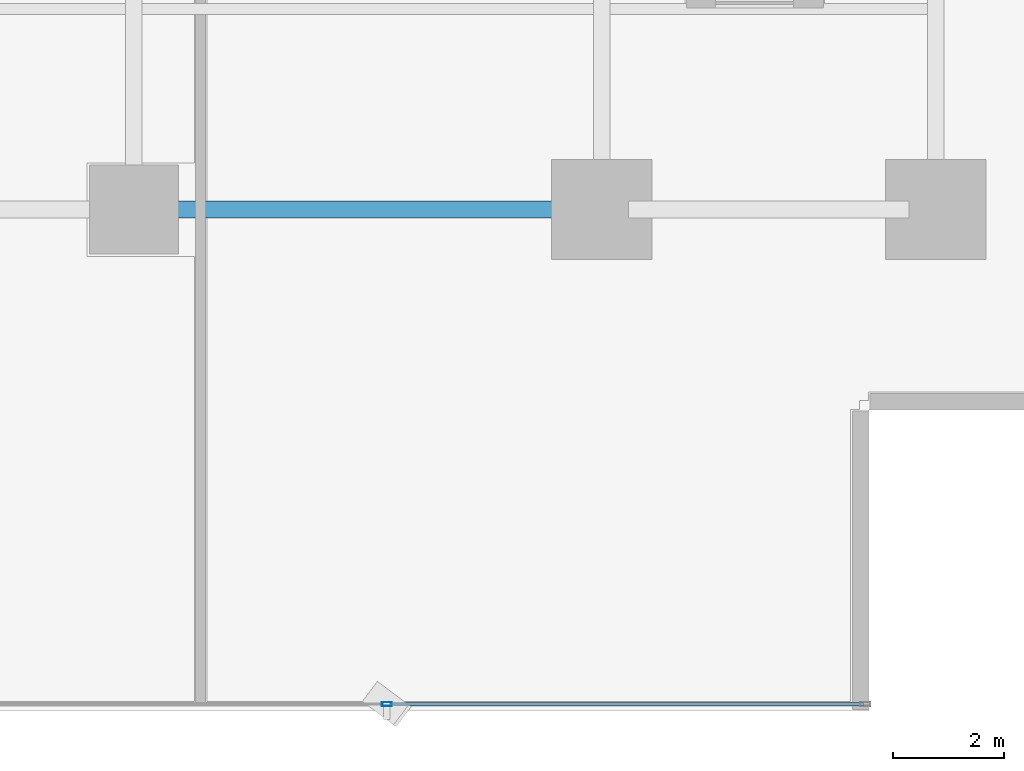
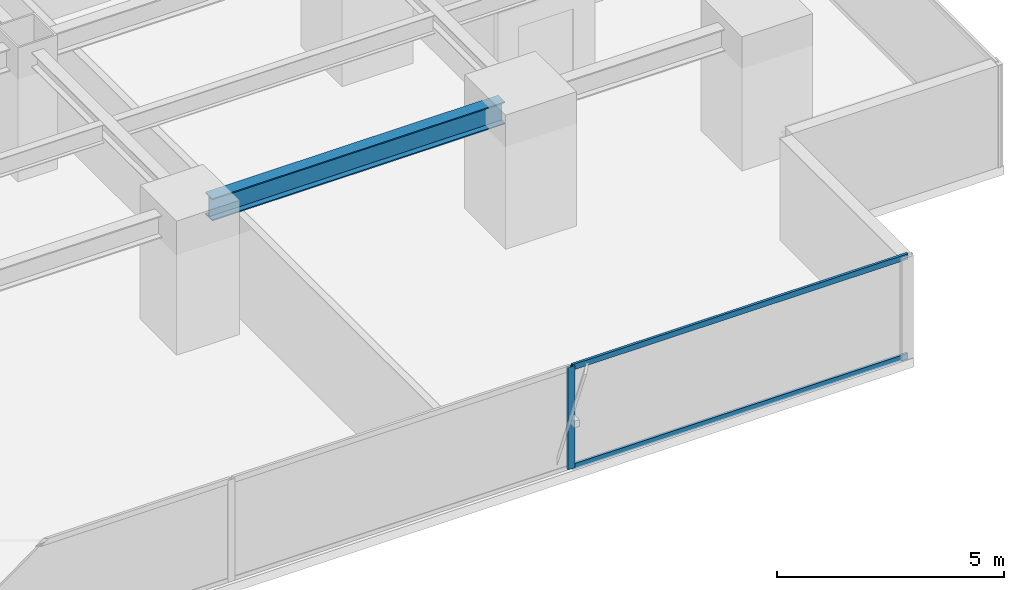
# One storey, part 11 of 33: 3 members, 1 beam, 1 element without a shape of its own.
"""IFC4 building model written with IfcOpenShell, lengths in metres."""

from ifc_helpers import new_model, si_unit, direction, frame, origin, origin_2d, place, context, subcontext, project, spatial, hollow_rectangle, i_section, extrude, source, transform, mapped, material, layer, layer_set, material_profile, profile_set, type_object, element, aggregate, save


model = new_model("IFC4")

# Units and contexts
model_context = context("Model", 3, precision=1e-05, world=origin(), true_north=direction((0.0, 1.0)))
body_context = subcontext(model_context, "Body", "Model", "MODEL_VIEW")
ifc_project = project(units=[si_unit("LENGTHUNIT", "METRE"), si_unit("AREAUNIT", "SQUARE_METRE"), si_unit("VOLUMEUNIT", "CUBIC_METRE"), si_unit("PLANEANGLEUNIT", "RADIAN"), si_unit("MASSUNIT", "GRAM", prefix="KILO")], contexts=[model_context])

# Site, building, storey
site_placement = place(None, origin())
site = spatial("IfcSite", under=ifc_project, at=site_placement, CompositionType="ELEMENT")
building_placement = place(site_placement, origin())
building = spatial("IfcBuilding", under=site, at=building_placement, Name="Sumidabori Civic Tower", CompositionType="ELEMENT")
storey_placement = place(building_placement, frame((0.0, 0.0, 63.199951171875)))
storey = spatial("IfcBuildingStorey", under=building, at=storey_placement, Name="L16", CompositionType="ELEMENT", Elevation=63.199951171875)

# Beam
ifc_material_1 = material(Name="Steel SN490", Category="steel")
ifc_material_profile_1 = material_profile(ifc_material_1, i_section(OverallWidth=0.300048828125, OverallDepth=0.60009765625, WebThickness=0.015380859375, FlangeThickness=0.030029296875, at=origin_2d()), Name="HE 600 B")
ifc_profile_set_1 = profile_set([ifc_material_profile_1], Name="Steel SN490")
beam_type = type_object("IfcBeamType", Name="BM-GIRD-600", PredefinedType="BEAM", material=ifc_profile_set_1)
shared_shape_1 = source(origin(), body_context, "Body", "SweptSolid", [
    extrude(i_section(OverallWidth=0.300048828125, OverallDepth=0.60009765625, WebThickness=0.015380859375, FlangeThickness=0.030029296875, at=origin_2d()), origin(), (0.0, 0.0, 1.0), 7.440185546875),
])
beam_placement = place(storey_placement, frame((8.8798828125, -18.0, 3.06005859375), z_axis=(1.0, 0.0, 0.0), x_axis=(0.0, 1.0, 0.0)))
element("IfcBeam", 1, at=beam_placement, inside=storey, type_object=beam_type, Name="Primary Girder L16 GX-05", PredefinedType="BEAM", context=body_context, shape_type="MappedRepresentation", body=[
    mapped(shared_shape_1, transform((0.0, 0.0, 0.0), x_axis=(1.0, 0.0, 0.0), y_axis=(0.0, 1.0, 0.0), z_axis=(0.0, 0.0, 1.0), scale=1.0)),
])

# Curtain wall, members
ifc_material_2 = material(Name="Anodised Bronze Aluminium AW-6063-T6", Category="aluminium")
ifc_layer = layer(ifc_material_2, 0.179931640625, Name="Anodised Bronze Aluminium AW-6063-T6")
ifc_layer_set = layer_set([ifc_layer], Name="Anodised Bronze Aluminium AW-6063-T6")
curtain_wall_type = type_object("IfcCurtainWallType", Name="CW-SYS-2", PredefinedType="NOTDEFINED", material=ifc_layer_set)
curtain_wall_placement = place(storey_placement, origin())
curtain_wall = element("IfcCurtainWall", 2, at=curtain_wall_placement, inside=storey, type_object=curtain_wall_type, Name="Curtain Wall CW:L16:R01", PredefinedType="NOTDEFINED")
ifc_material_profile_2 = material_profile(ifc_material_2, hollow_rectangle(XDim=0.070068359375, YDim=0.179931640625, WallThickness=0.006103515625, at=origin_2d()), Name="ALU MULLION 180x70")
ifc_profile_set_2 = profile_set([ifc_material_profile_2], Name="Anodised Bronze Aluminium AW-6063-T6")
member_type_1 = type_object("IfcMemberType", Name="CW-MUL-180", PredefinedType="MULLION", material=ifc_profile_set_2)
shared_shape_2 = source(origin(), body_context, "Body", "SweptSolid", [
    extrude(hollow_rectangle(XDim=0.070068359375, YDim=0.179931640625, WallThickness=0.006103515625, at=origin_2d()), origin(), (0.0, 0.0, 1.0), 2.739990234375),
])
member_1_placement = place(storey_placement, frame((12.94189453125, -26.8798828125, 0.0), z_axis=(0.0, 0.0, 1.0), x_axis=(0.0, 1.0, 0.0)))
member_1 = element("IfcMember", 3, at=member_1_placement, type_object=member_type_1, Name="CW-2 mullion 5", PredefinedType="MULLION", context=body_context, shape_type="MappedRepresentation", body=[
    mapped(shared_shape_2, transform((0.0, 0.0, 0.0), x_axis=(1.0, 0.0, 0.0), y_axis=(0.0, 1.0, 0.0), z_axis=(0.0, 0.0, 1.0), scale=1.0)),
])
ifc_material_profile_3 = material_profile(ifc_material_2, hollow_rectangle(XDim=0.06494140625, YDim=0.14990234375, WallThickness=0.0048828125, at=origin_2d()), Name="ALU TRANSOM 150x65")
ifc_profile_set_3 = profile_set([ifc_material_profile_3], Name="Anodised Bronze Aluminium AW-6063-T6")
member_type_2 = type_object("IfcMemberType", Name="CW-TRN-150", PredefinedType="USERDEFINED", material=ifc_profile_set_3)
shared_shape_3 = source(origin(), body_context, "Body", "SweptSolid", [
    extrude(hollow_rectangle(XDim=0.06494140625, YDim=0.14990234375, WallThickness=0.0048828125, at=origin_2d()), origin(), (0.0, 0.0, 1.0), 8.52294921875),
])
member_2_placement = place(storey_placement, frame((12.97705078125, -26.8798828125, 0.032470703125), z_axis=(1.0, 0.0, 0.0), x_axis=(0.0, 1.0, 0.0)))
member_2 = element("IfcMember", 4, at=member_2_placement, type_object=member_type_2, Name="CW-2 transom 5.1", ObjectType="TRANSOM", PredefinedType="USERDEFINED", context=body_context, shape_type="MappedRepresentation", body=[
    mapped(shared_shape_3, transform((0.0, 0.0, 0.0), x_axis=(1.0, 0.0, 0.0), y_axis=(0.0, 1.0, 0.0), z_axis=(0.0, 0.0, 1.0), scale=1.0)),
])
member_3_placement = place(storey_placement, frame((12.97705078125, -26.8798828125, 2.70751953125), z_axis=(1.0, 0.0, 0.0), x_axis=(0.0, 1.0, 0.0)))
member_3 = element("IfcMember", 5, at=member_3_placement, type_object=member_type_2, Name="CW-2 transom 5.2", ObjectType="TRANSOM", PredefinedType="USERDEFINED", context=body_context, shape_type="MappedRepresentation", body=[
    mapped(shared_shape_3, transform((0.0, 0.0, 0.0), x_axis=(1.0, 0.0, 0.0), y_axis=(0.0, 1.0, 0.0), z_axis=(0.0, 0.0, 1.0), scale=1.0)),
])
aggregate(curtain_wall, [member_1, member_2, member_3])

save(model, "model.ifc")
